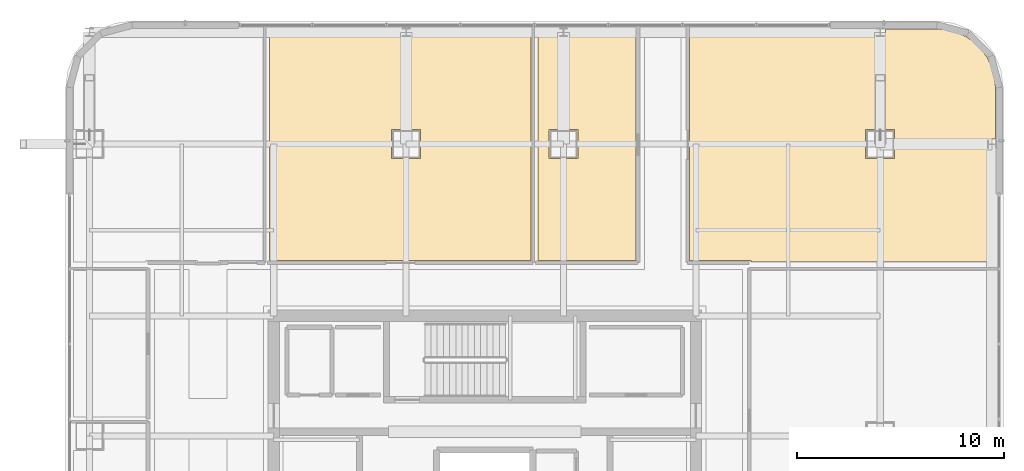
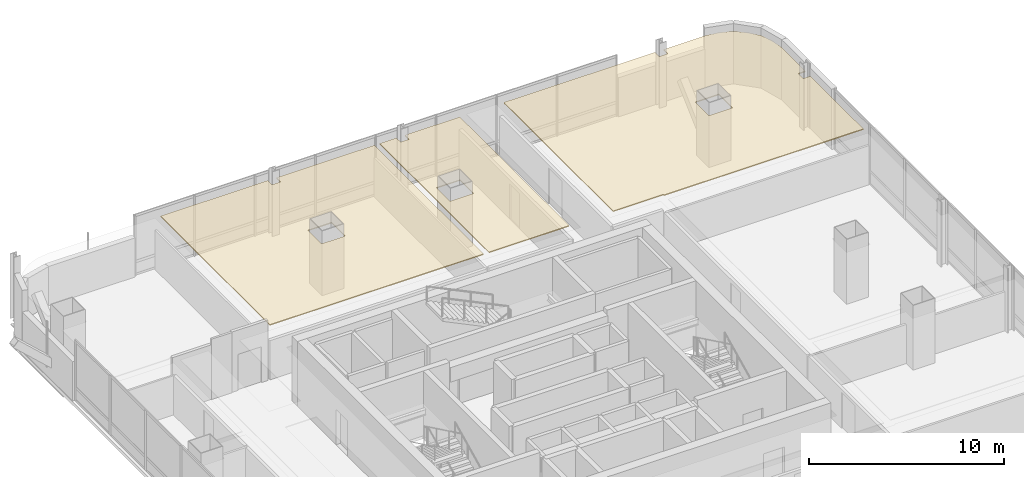
# One storey, part 50 of 51: 3 coverings.
"""IFC4 building model written with IfcOpenShell, lengths in metres."""

from ifc_helpers import new_model, si_unit, direction, frame, origin, place, context, subcontext, project, spatial, polyline, outline, extrude, material, layer, layer_set, type_object, element, save


model = new_model("IFC4")

# Units and contexts
model_context = context("Model", 3, precision=1e-05, world=origin(), true_north=direction((0.0, 1.0)))
body_context = subcontext(model_context, "Body", "Model", "MODEL_VIEW")
ifc_project = project(units=[si_unit("LENGTHUNIT", "METRE"), si_unit("AREAUNIT", "SQUARE_METRE"), si_unit("VOLUMEUNIT", "CUBIC_METRE"), si_unit("PLANEANGLEUNIT", "RADIAN"), si_unit("MASSUNIT", "GRAM", prefix="KILO")], contexts=[model_context])

# Site, building, storey
site_placement = place(None, origin())
site = spatial("IfcSite", under=ifc_project, at=site_placement, CompositionType="ELEMENT")
building_placement = place(site_placement, origin())
building = spatial("IfcBuilding", under=site, at=building_placement, Name="Punatoya Terracotta Tower", CompositionType="ELEMENT")
storey_placement = place(building_placement, frame((0.0, 0.0, 279.75)))
storey = spatial("IfcBuildingStorey", under=building, at=storey_placement, Name="L66", CompositionType="ELEMENT", Elevation=279.75)

# Coverings
ifc_material = material(Name="Acoustic Mineral Fibre Ceiling")
ifc_layer = layer(ifc_material, 0.06005859375)
ifc_layer_set = layer_set([ifc_layer], Name="Acoustic Mineral Fibre Ceiling")
covering_type = type_object("IfcCoveringType", Name="COV-CEIL-60", PredefinedType="CEILING", material=ifc_layer_set)
covering_1_placement = place(storey_placement, frame((0.0, 0.0, 3.239990234375)))
element("IfcCovering", 1, at=covering_1_placement, inside=storey, type_object=covering_type, Name="L66 Roundtable Conference Room Acoustic Ceiling", PredefinedType="CEILING", context=body_context, shape_type="SweptSolid", body=[
    extrude(outline(polyline([(12.8701171875, 11.81005859375), (24.669921875, 11.81005859375), (24.669921875, 17.241943359375), (24.2470703125, 17.241943359375), (24.2470703125, 17.758056640625), (24.669921875, 17.758056640625), (24.669921875, 20.22509765625), (24.57080078125, 20.97900390625), (24.289306640625, 21.658203125), (23.841796875, 22.24169921875), (23.25830078125, 22.689453125), (22.5791015625, 22.970703125), (21.8251953125, 23.070068359375), (19.35302734375, 23.070068359375), (19.35302734375, 22.64208984375), (18.846923828125, 22.64208984375), (18.846923828125, 23.070068359375), (9.89990234375, 23.070068359375), (9.89990234375, 11.8701171875), (12.8701171875, 11.8701171875), (12.8701171875, 11.81005859375)]), holes=[polyline([(19.800048828125, 18.199951171875), (19.800048828125, 16.800048828125), (18.39990234375, 16.800048828125), (18.39990234375, 18.199951171875), (19.800048828125, 18.199951171875)])]), origin(), (0.0, 0.0, 1.0), 0.06005859375),
])
covering_2_placement = place(storey_placement, frame((0.0, 0.0, 3.239990234375)))
element("IfcCovering", 2, at=covering_2_placement, inside=storey, type_object=covering_type, Name="L66 Open-Plan Translation Conference Room Acoustic Ceiling", PredefinedType="CEILING", context=body_context, shape_type="SweptSolid", body=[
    extrude(outline(polyline([(2.239990234375, 23.070068359375), (-3.547119140625, 23.070068359375), (-3.547119140625, 22.64208984375), (-4.052978515625, 22.64208984375), (-4.052978515625, 23.070068359375), (-10.404052734375, 23.070068359375), (-10.404052734375, 11.8701171875), (2.239990234375, 11.8701171875), (2.239990234375, 23.070068359375)]), holes=[polyline([(-4.5, 16.800048828125), (-4.5, 18.199951171875), (-3.10009765625, 18.199951171875), (-3.10009765625, 16.800048828125), (-4.5, 16.800048828125)])]), origin(), (0.0, 0.0, 1.0), 0.06005859375),
])
covering_3_placement = place(storey_placement, frame((0.0, 0.0, 3.239990234375)))
element("IfcCovering", 3, at=covering_3_placement, inside=storey, type_object=covering_type, Name="L66 Open-Plan Plenary Seminar Room Acoustic Ceiling", PredefinedType="CEILING", context=body_context, shape_type="SweptSolid", body=[
    extrude(outline(polyline([(7.300048828125, 23.070068359375), (4.052978515625, 23.070068359375), (4.052978515625, 22.64208984375), (3.547119140625, 22.64208984375), (3.547119140625, 23.070068359375), (2.56005859375, 23.070068359375), (2.56005859375, 11.8701171875), (7.300048828125, 11.8701171875), (7.300048828125, 23.070068359375)]), holes=[polyline([(4.5, 16.800048828125), (3.10009765625, 16.800048828125), (3.10009765625, 18.199951171875), (4.5, 18.199951171875), (4.5, 16.800048828125)])]), origin(), (0.0, 0.0, 1.0), 0.06005859375),
])

save(model, "model.ifc")
